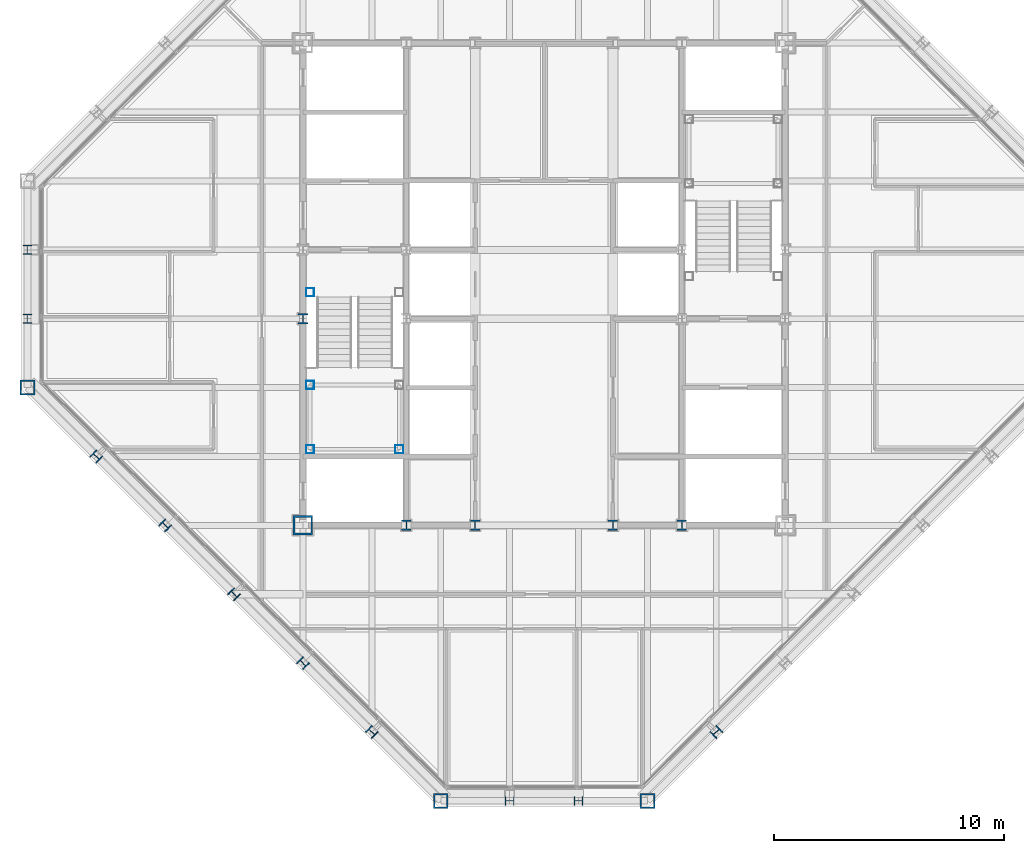
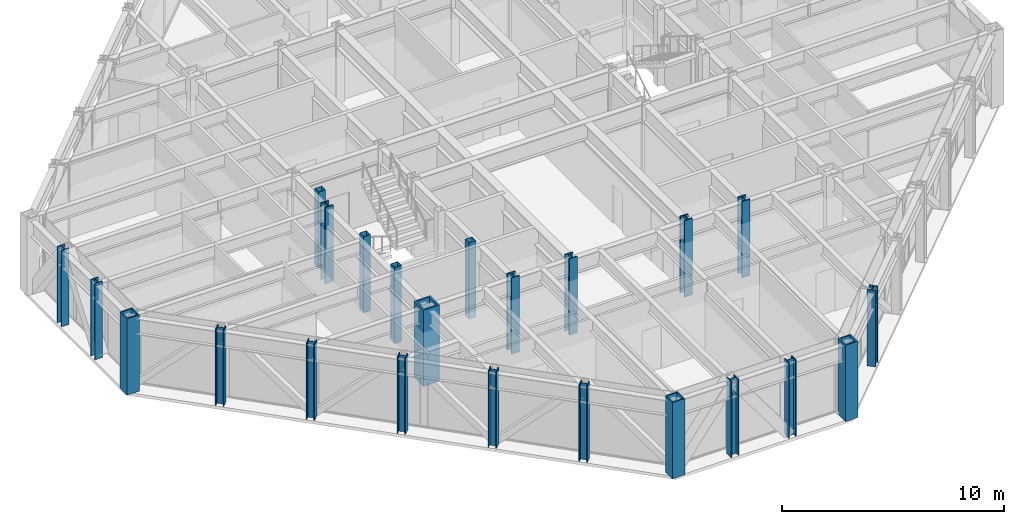
# One storey, part 1 of 15: 23 columns.
"""IFC4 building model written with IfcOpenShell, lengths in metres."""

import ifcopenshell
import ifcopenshell.guid

model = None  # the IFC model being written
_history = None  # IfcOwnerHistory: only IFC2X3 demands one
_inside = {}  # id of a spatial element -> (the spatial element, [elements in it])
_under = {}  # id of a project, library or spatial element -> (it, [spatial elements below it])
_declared = {}  # id of a project -> (the project, [libraries it declares])
_typed = {}  # id of a type object -> (the type object, [elements of that type])
_made_of = {}  # id of a material, layer set ... -> (it, [elements and type objects made of it])


def new_model(schema):
    """Start an empty IFC model of exactly this schema.

    Asked for "IFC4X3", IfcOpenShell would pick the latest addendum, in which some entities
    have other attributes; the version numbers below select the first issue.
    IFC2X3 requires an IfcOwnerHistory on every rooted entity: one is made here for all.
    """
    global model, _history
    if schema == "IFC4X3":
        model = ifcopenshell.file(schema_version=(4, 3, 0, 0))
    else:
        model = ifcopenshell.file(schema=schema)
    _inside.clear()
    _under.clear()
    _declared.clear()
    _typed.clear()
    _made_of.clear()
    _history = None
    if model.schema == "IFC2X3":
        org = make("IfcOrganization", Name="unknown")
        user = make(
            "IfcPersonAndOrganization",
            ThePerson=make("IfcPerson", FamilyName="unknown"),
            TheOrganization=org,
        )
        app = make(
            "IfcApplication",
            ApplicationDeveloper=org,
            Version="unknown",
            ApplicationFullName="unknown",
            ApplicationIdentifier="unknown",
        )
        _history = make(
            "IfcOwnerHistory",
            OwningUser=user,
            OwningApplication=app,
            ChangeAction="ADDED",
            CreationDate=0,
        )
    return model


def make(cls, **values):
    """One entity of the class cls with the attributes given. An attribute that is None is left unset."""
    return model.create_entity(
        cls, **{name: value for name, value in values.items() if value is not None}
    )


def rooted(cls, **values):
    """An entity with a GlobalId (a new one), such as an element, a storey or a relation."""
    return make(cls, GlobalId=ifcopenshell.guid.new(), OwnerHistory=_history, **values)


def si_unit(unit_type, name, prefix=None):
    """IfcSIUnit, for example si_unit("LENGTHUNIT", "METRE", prefix="MILLI")."""
    return make("IfcSIUnit", UnitType=unit_type, Prefix=prefix, Name=name)


def assignment(units):
    """IfcUnitAssignment: the units of a project."""
    return None if units is None else make("IfcUnitAssignment", Units=units)


def point(xyz):
    """IfcCartesianPoint."""
    return None if xyz is None else make("IfcCartesianPoint", Coordinates=xyz)


def direction(xyz):
    """IfcDirection."""
    return None if xyz is None else make("IfcDirection", DirectionRatios=xyz)


def frame(location, z_axis=None, x_axis=None):
    """IfcAxis2Placement3D, a coordinate frame: its origin and axes. An axis left out is left unset."""
    return make(
        "IfcAxis2Placement3D",
        Location=point(location),
        Axis=direction(z_axis),
        RefDirection=direction(x_axis),
    )


def frame_2d(location, x_axis=None):
    """IfcAxis2Placement2D, a coordinate frame in the plane: its origin and x axis."""
    return make(
        "IfcAxis2Placement2D", Location=point(location), RefDirection=direction(x_axis)
    )


def origin():
    """The frame at (0, 0, 0) with its axes left unset."""
    return frame((0.0, 0.0, 0.0))


def origin_2d():
    """The frame at (0, 0) in the plane with its x axis left unset."""
    return frame_2d((0.0, 0.0))


def place(relative_to, where):
    """IfcLocalPlacement: puts the frame where relative to a parent placement (None: the world)."""
    return make(
        "IfcLocalPlacement", PlacementRelTo=relative_to, RelativePlacement=where
    )


def context(
    kind, dimensions, precision=None, world=None, true_north=None, identifier=None
):
    """IfcGeometricRepresentationContext, for example the 3D "Model" context."""
    return make(
        "IfcGeometricRepresentationContext",
        ContextIdentifier=identifier,
        ContextType=kind,
        CoordinateSpaceDimension=dimensions,
        Precision=precision,
        WorldCoordinateSystem=world,
        TrueNorth=true_north,
    )


def subcontext(parent, identifier, kind, view, scale=None):
    """IfcGeometricRepresentationSubContext, for example "Body" below "Model"."""
    return make(
        "IfcGeometricRepresentationSubContext",
        ContextIdentifier=identifier,
        ContextType=kind,
        ParentContext=parent,
        TargetScale=scale,
        TargetView=view,
    )


def project(units=None, contexts=None):
    """IfcProject with its units and contexts."""
    return rooted(
        "IfcProject",
        Name="project",
        RepresentationContexts=contexts,
        UnitsInContext=assignment(units),
    )


def spatial(cls, under=None, at=None, **own):
    """A site, building, storey or space (cls), placed at a placement, below another one or the project."""
    s = rooted(cls, ObjectPlacement=at, **own)
    if under is not None:
        _under.setdefault(under.id(), (under, []))[1].append(s)
    return s


def profile(cls, at=None, kind="AREA", **sizes):
    """A parametric profile (cls). Its sizes go by their IFC names, for example OverallWidth=200.0."""
    return make(cls, ProfileType=kind, Position=at, **sizes)


def hollow_rectangle(**sizes):
    """IfcRectangleHollowProfileDef."""
    return profile("IfcRectangleHollowProfileDef", **sizes)


def i_section(**sizes):
    """IfcIShapeProfileDef."""
    return profile("IfcIShapeProfileDef", **sizes)


def extrude(swept, where, along, depth):
    """IfcExtrudedAreaSolid: the profile swept, set in the frame where, extruded along a direction by depth."""
    return make(
        "IfcExtrudedAreaSolid",
        SweptArea=swept,
        Position=where,
        ExtrudedDirection=direction(along),
        Depth=depth,
    )


def shape(context_of_items, identifier, shape_type, items):
    """IfcShapeRepresentation: the items that make up one representation, for example the "Body"."""
    return make(
        "IfcShapeRepresentation",
        ContextOfItems=context_of_items,
        RepresentationIdentifier=identifier,
        RepresentationType=shape_type,
        Items=items,
    )


def material(Name=None, Category=None):
    """IfcMaterial."""
    return make("IfcMaterial", Name=Name, Category=Category)


def material_profile(
    of_material, cross_section, Name=None, Category=None, Priority=None
):
    """IfcMaterialProfile: a cross section and its material."""
    return make(
        "IfcMaterialProfile",
        Name=Name,
        Material=of_material,
        Profile=cross_section,
        Priority=Priority,
        Category=Category,
    )


def profile_set(profiles, Name=None, composite=None):
    """IfcMaterialProfileSet."""
    return make(
        "IfcMaterialProfileSet",
        Name=Name,
        MaterialProfiles=profiles,
        CompositeProfile=composite,
    )


def made_of(thing, what):
    """Note that an element or type object is made of a material, layer set ...; save() writes the relation."""
    if what is not None:
        _made_of.setdefault(what.id(), (what, []))[1].append(thing)
    return thing


def type_object(cls, material=None, **own):
    """A type object (cls), such as IfcWallType, which elements share."""
    return made_of(rooted(cls, **own), material)


def element(
    cls,
    number,
    at=None,
    inside=None,
    cuts=None,
    type_object=None,
    material=None,
    context=None,
    identifier="Body",
    shape_type=None,
    held_by="IfcProductDefinitionShape",
    body=None,
    shapes=None,
    **own,
):
    """One element of the class cls, such as IfcWall. Its Tag is "e" and its number.

    at: its placement. inside: the storey or other place that contains it. cuts: it is an
    opening in that element (IfcRelVoidsElement). A single representation is given by context,
    identifier, shape_type and body (its items); several are given by shapes. held_by: the class
    of the entity that holds the representations. save() writes the other relations.
    """
    e = rooted(cls, Tag="e%d" % number, ObjectPlacement=at, **own)
    if body is not None:
        shapes = [shape(context, identifier, shape_type, body)]
    if shapes is not None:
        e.Representation = make(held_by, Representations=shapes)
    if inside is not None:
        _inside.setdefault(inside.id(), (inside, []))[1].append(e)
    if cuts is not None:
        rooted(
            "IfcRelVoidsElement", RelatingBuildingElement=cuts, RelatedOpeningElement=e
        )
    if type_object is not None:
        _typed.setdefault(type_object.id(), (type_object, []))[1].append(e)
    return made_of(e, material)


def aggregate(whole, parts):
    """IfcRelAggregates: a whole, such as a stair, and the parts it consists of."""
    return rooted("IfcRelAggregates", RelatingObject=whole, RelatedObjects=parts)


def save(model, path):
    """Write the relations noted so far, then the file.

    IfcRelAggregates (storeys below a building ...), IfcRelContainedInSpatialStructure (elements
    in a storey), IfcRelDefinesByType, IfcRelAssociatesMaterial and IfcRelDeclares: one each for
    every whole, place, type object, material and project.
    """
    for whole, parts in _under.values():
        aggregate(whole, parts)
    for where, things in _inside.values():
        rooted(
            "IfcRelContainedInSpatialStructure",
            RelatedElements=things,
            RelatingStructure=where,
        )
    for kind, things in _typed.values():
        rooted("IfcRelDefinesByType", RelatedObjects=things, RelatingType=kind)
    for what, things in _made_of.values():
        rooted("IfcRelAssociatesMaterial", RelatedObjects=things, RelatingMaterial=what)
    for by, libraries in _declared.values():
        rooted("IfcRelDeclares", RelatingContext=by, RelatedDefinitions=libraries)
    model.write(path)


model = new_model("IFC4")

# Units and contexts
model_context = context("Model", 3, precision=1e-05, world=origin(), true_north=direction((0.0, 1.0)))
body_context = subcontext(model_context, "Body", "Model", "MODEL_VIEW")
ifc_project = project(units=[si_unit("LENGTHUNIT", "METRE"), si_unit("AREAUNIT", "SQUARE_METRE"), si_unit("VOLUMEUNIT", "CUBIC_METRE"), si_unit("PLANEANGLEUNIT", "RADIAN"), si_unit("MASSUNIT", "GRAM", prefix="KILO")], contexts=[model_context])

# Site, building, storey
site_placement = place(None, origin())
site = spatial("IfcSite", under=ifc_project, at=site_placement, CompositionType="ELEMENT")
building_placement = place(site_placement, origin())
building = spatial("IfcBuilding", under=site, at=building_placement, Name="Chuquiago Exchange Tower", CompositionType="ELEMENT")
storey_placement = place(building_placement, frame((0.0, 0.0, 287.39990234375)))
storey = spatial("IfcBuildingStorey", under=building, at=storey_placement, Name="L64", CompositionType="ELEMENT", Elevation=287.39990234375)

# Columns
ifc_material_1 = material(Name="Steel ASTM A992", Category="steel")
ifc_material_profile_1 = material_profile(ifc_material_1, i_section(OverallWidth=0.4013671875, OverallDepth=0.398681640625, WebThickness=0.02490234375, FlangeThickness=0.03955078125, at=origin_2d()), Name="W14X211")
ifc_profile_set_1 = profile_set([ifc_material_profile_1], Name="Steel ASTM A992")
column_type_1 = type_object("IfcColumnType", Name="C9 W14X211", PredefinedType="COLUMN", material=ifc_profile_set_1)
for number, where, z_axis, x_axis, name in (
    (1, (21.0, 0.0, 0.0), (0.0, 0.0, 1.0), (0.0, -1.0, 0.0), "COL-L64-21_0"),
    (2, (24.0, 0.0, 0.0), (0.0, 0.0, 1.0), (0.0, -1.0, 0.0), "COL-L64-24_0"),
    (3, (0.0, 24.0, 0.0), (0.0, 0.0, 1.0), (-1.0, 0.0, 0.0), "COL-L64-0_24"),
    (4, (0.0, 21.0, 0.0), (0.0, 0.0, 1.0), (-1.0, 0.0, 0.0), "COL-L64-0_21"),
):
    element("IfcColumn", number, at=place(storey_placement, frame(where, z_axis=z_axis, x_axis=x_axis)), inside=storey, type_object=column_type_1, Name=name, PredefinedType="COLUMN", context=body_context, shape_type="SweptSolid", body=[
        extrude(i_section(OverallWidth=0.4013671875, OverallDepth=0.398681640625, WebThickness=0.02490234375, FlangeThickness=0.03955078125, at=origin_2d()), origin(), (0.0, 0.0, 1.0), 4.2001953125),
    ])
ifc_material_2 = material(Name="Steel ASTM A572 Grade 50", Category="steel")
ifc_material_profile_2 = material_profile(ifc_material_2, hollow_rectangle(XDim=0.85009765625, YDim=0.85009765625, WallThickness=0.0849609375, at=origin_2d()), Name="BOX850X850X85")
ifc_profile_set_2 = profile_set([ifc_material_profile_2], Name="Steel ASTM A572 Grade 50")
column_type_2 = type_object("IfcColumnType", Name="CC6 BOX850X850X85", PredefinedType="COLUMN", material=ifc_profile_set_2)
column_placement = place(storey_placement, frame((12.0, 12.0, 0.0), z_axis=(0.0, 0.0, 1.0), x_axis=(1.0, 0.0, 0.0)))
element("IfcColumn", 5, at=column_placement, inside=storey, type_object=column_type_2, Name="CCOL-L64-12_12", PredefinedType="COLUMN", context=body_context, shape_type="SweptSolid", body=[
    extrude(hollow_rectangle(XDim=0.85009765625, YDim=0.85009765625, WallThickness=0.0849609375, at=origin_2d()), origin(), (0.0, 0.0, 1.0), 4.2001953125),
])
ifc_material_3 = material(Name="Steel ASTM A992", Category="steel")
ifc_material_profile_3 = material_profile(ifc_material_3, i_section(OverallWidth=0.41650390625, OverallDepth=0.444580078125, WebThickness=0.0390625, FlangeThickness=0.062744140625, at=origin_2d()), Name="W14X342")
ifc_profile_set_3 = profile_set([ifc_material_profile_3], Name="Steel ASTM A992")
column_type_3 = type_object("IfcColumnType", Name="CC9 W14X342", PredefinedType="COLUMN", material=ifc_profile_set_3)
for number, where, z_axis, x_axis, name in (
    (6, (16.5, 12.0, 0.0), (0.0, 0.0, 1.0), (1.0, 0.0, 0.0), "CCOL-L64-16.5_12"),
    (7, (19.5, 12.0, 0.0), (0.0, 0.0, 1.0), (1.0, 0.0, 0.0), "CCOL-L64-19.5_12"),
    (8, (25.5, 12.0, 0.0), (0.0, 0.0, 1.0), (1.0, 0.0, 0.0), "CCOL-L64-25.5_12"),
    (9, (28.5, 12.0, 0.0), (0.0, 0.0, 1.0), (1.0, 0.0, 0.0), "CCOL-L64-28.5_12"),
    (10, (12.0, 21.0, 0.0), (0.0, 0.0, 1.0), (1.0, 0.0, 0.0), "CCOL-L64-12_21"),
):
    element("IfcColumn", number, at=place(storey_placement, frame(where, z_axis=z_axis, x_axis=x_axis)), inside=storey, type_object=column_type_3, Name=name, PredefinedType="COLUMN", context=body_context, shape_type="SweptSolid", body=[
        extrude(i_section(OverallWidth=0.41650390625, OverallDepth=0.444580078125, WebThickness=0.0390625, FlangeThickness=0.062744140625, at=origin_2d()), origin(), (0.0, 0.0, 1.0), 4.2001953125),
    ])
ifc_material_4 = material(Name="Steel ASTM A992", Category="steel")
ifc_material_profile_4 = material_profile(ifc_material_4, i_section(OverallWidth=0.40380859375, OverallDepth=0.406494140625, WebThickness=0.027099609375, FlangeThickness=0.043701171875, at=origin_2d()), Name="W14X233")
ifc_profile_set_4 = profile_set([ifc_material_profile_4], Name="Steel ASTM A992")
column_type_4 = type_object("IfcColumnType", Name="CK8 W14X233", PredefinedType="COLUMN", material=ifc_profile_set_4)
for number, where, z_axis, x_axis, name in (
    (11, (30.0, 3.0, 0.0), (0.0, 0.0, 1.0), (0.707106781187, -0.707106781187, 0.0), "COL-L64-30_3"),
    (12, (3.0, 15.0, 0.0), (0.0, 0.0, 1.0), (-0.707106781187, -0.707106781187, 0.0), "COL-L64-3_15"),
    (13, (6.0, 12.0, 0.0), (0.0, 0.0, 1.0), (-0.707106781187, -0.707106781187, 0.0), "COL-L64-6_12"),
    (14, (9.0, 9.0, 0.0), (0.0, 0.0, 1.0), (-0.707106781187, -0.707106781187, 0.0), "COL-L64-9_9"),
    (15, (12.0, 6.0, 0.0), (0.0, 0.0, 1.0), (-0.707106781187, -0.707106781187, 0.0), "COL-L64-12_6"),
    (16, (15.0, 3.0, 0.0), (0.0, 0.0, 1.0), (-0.707106781187, -0.707106781187, 0.0), "COL-L64-15_3"),
):
    element("IfcColumn", number, at=place(storey_placement, frame(where, z_axis=z_axis, x_axis=x_axis)), inside=storey, type_object=column_type_4, Name=name, PredefinedType="COLUMN", context=body_context, shape_type="SweptSolid", body=[
        extrude(i_section(OverallWidth=0.40380859375, OverallDepth=0.406494140625, WebThickness=0.027099609375, FlangeThickness=0.043701171875, at=origin_2d()), origin(), (0.0, 0.0, 1.0), 4.2001953125),
    ])
ifc_material_5 = material(Name="Steel ASTM A572 Grade 50", Category="steel")
ifc_material_profile_5 = material_profile(ifc_material_5, hollow_rectangle(XDim=0.64990234375, YDim=0.64990234375, WallThickness=0.06494140625, at=origin_2d()), Name="BOX650X650X65")
ifc_profile_set_5 = profile_set([ifc_material_profile_5], Name="Steel ASTM A572 Grade 50")
column_type_5 = type_object("IfcColumnType", Name="CN2 BOX650X650X65", PredefinedType="COLUMN", material=ifc_profile_set_5)
for number, where, z_axis, x_axis, name in (
    (17, (18.0, 0.0, 0.0), (0.0, 0.0, 1.0), (0.0, -1.0, 0.0), "COL-L64-18_0"),
    (18, (27.0, 0.0, 0.0), (0.0, 0.0, 1.0), (0.0, -1.0, 0.0), "COL-L64-27_0"),
    (19, (0.0, 18.0, 0.0), (0.0, 0.0, 1.0), (-1.0, 0.0, 0.0), "COL-L64-0_18"),
):
    element("IfcColumn", number, at=place(storey_placement, frame(where, z_axis=z_axis, x_axis=x_axis)), inside=storey, type_object=column_type_5, Name=name, PredefinedType="COLUMN", context=body_context, shape_type="SweptSolid", body=[
        extrude(hollow_rectangle(XDim=0.64990234375, YDim=0.64990234375, WallThickness=0.06494140625, at=origin_2d()), origin(), (0.0, 0.0, 1.0), 4.2001953125),
    ])
ifc_material_6 = material(Name="Steel ASTM A500 Grade C", Category="steel")
ifc_material_profile_6 = material_profile(ifc_material_6, hollow_rectangle(XDim=0.355712890625, YDim=0.355712890625, WallThickness=0.0087890625, at=origin_2d()), Name="HSS14X14X3/8")
ifc_profile_set_6 = profile_set([ifc_material_profile_6], Name="Steel ASTM A500 Grade C")
column_type_6 = type_object("IfcColumnType", Name="PT1 HSS14X14X3/8", PredefinedType="COLUMN", material=ifc_profile_set_6)
for number, where, z_axis, x_axis, name in (
    (20, (12.31005859375, 15.31005859375, 0.0), (0.0, 0.0, 1.0), (1.0, 0.0, 0.0), "Stair ST1 L64 landing post"),
    (21, (16.18994140625, 15.31005859375, 0.0), (0.0, 0.0, 1.0), (1.0, 0.0, 0.0), "Stair ST1 L64 landing post"),
    (22, (12.31005859375, 18.110107421875, 0.0), (0.0, 0.0, 1.0), (1.0, 0.0, 0.0), "Stair ST1 L64 landing post"),
    (23, (12.31005859375, 22.14990234375, 0.0), (0.0, 0.0, 1.0), (1.0, 0.0, 0.0), "Stair ST1 L64 landing post"),
):
    element("IfcColumn", number, at=place(storey_placement, frame(where, z_axis=z_axis, x_axis=x_axis)), inside=storey, type_object=column_type_6, Name=name, PredefinedType="COLUMN", context=body_context, shape_type="SweptSolid", body=[
        extrude(hollow_rectangle(XDim=0.355712890625, YDim=0.355712890625, WallThickness=0.0087890625, at=origin_2d()), origin(), (0.0, 0.0, 1.0), 4.2001953125),
    ])

save(model, "model.ifc")
